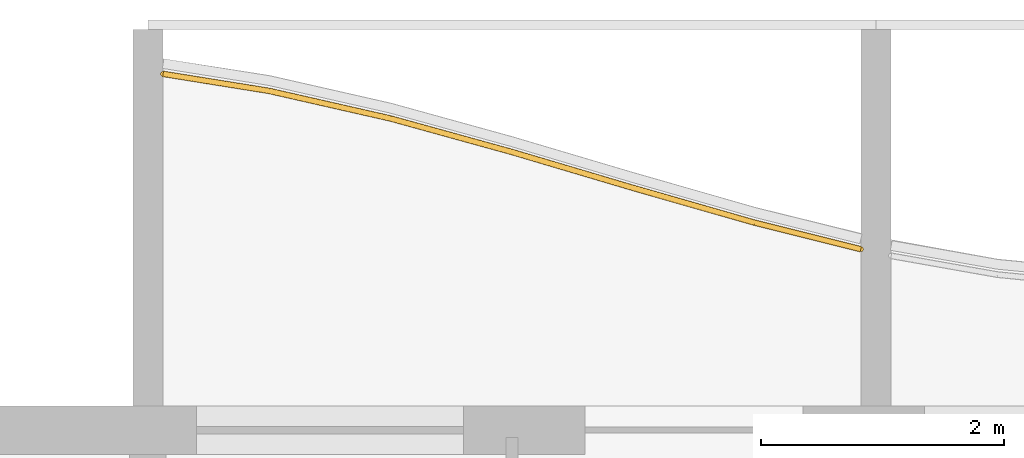
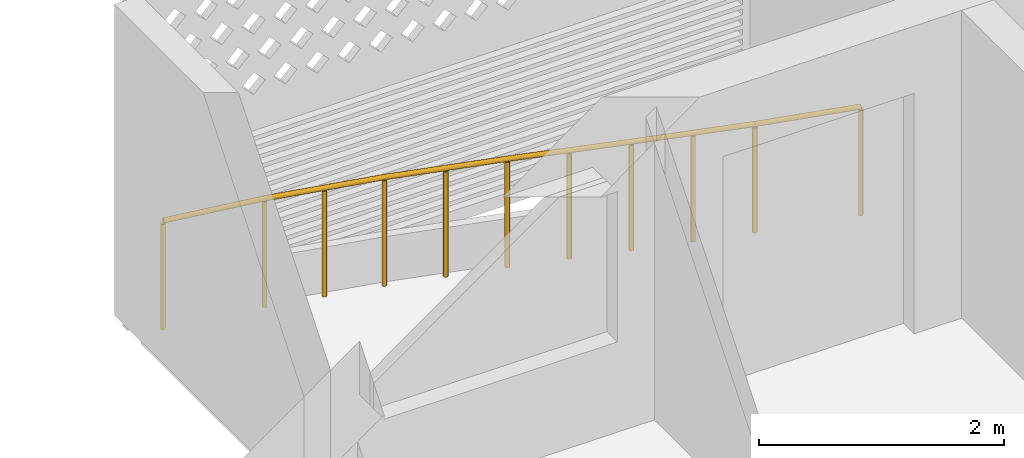
# One storey, part 17 of 32: 1 railing.
"""IFC4 building model written with IfcOpenShell, lengths in metres."""

import ifcopenshell
import ifcopenshell.guid

model = None  # the IFC model being written
_history = None  # IfcOwnerHistory: only IFC2X3 demands one
_inside = {}  # id of a spatial element -> (the spatial element, [elements in it])
_under = {}  # id of a project, library or spatial element -> (it, [spatial elements below it])
_declared = {}  # id of a project -> (the project, [libraries it declares])
_typed = {}  # id of a type object -> (the type object, [elements of that type])
_made_of = {}  # id of a material, layer set ... -> (it, [elements and type objects made of it])


def new_model(schema):
    """Start an empty IFC model of exactly this schema.

    Asked for "IFC4X3", IfcOpenShell would pick the latest addendum, in which some entities
    have other attributes; the version numbers below select the first issue.
    IFC2X3 requires an IfcOwnerHistory on every rooted entity: one is made here for all.
    """
    global model, _history
    if schema == "IFC4X3":
        model = ifcopenshell.file(schema_version=(4, 3, 0, 0))
    else:
        model = ifcopenshell.file(schema=schema)
    _inside.clear()
    _under.clear()
    _declared.clear()
    _typed.clear()
    _made_of.clear()
    _history = None
    if model.schema == "IFC2X3":
        org = make("IfcOrganization", Name="unknown")
        user = make(
            "IfcPersonAndOrganization",
            ThePerson=make("IfcPerson", FamilyName="unknown"),
            TheOrganization=org,
        )
        app = make(
            "IfcApplication",
            ApplicationDeveloper=org,
            Version="unknown",
            ApplicationFullName="unknown",
            ApplicationIdentifier="unknown",
        )
        _history = make(
            "IfcOwnerHistory",
            OwningUser=user,
            OwningApplication=app,
            ChangeAction="ADDED",
            CreationDate=0,
        )
    return model


def make(cls, **values):
    """One entity of the class cls with the attributes given. An attribute that is None is left unset."""
    return model.create_entity(
        cls, **{name: value for name, value in values.items() if value is not None}
    )


def rooted(cls, **values):
    """An entity with a GlobalId (a new one), such as an element, a storey or a relation."""
    return make(cls, GlobalId=ifcopenshell.guid.new(), OwnerHistory=_history, **values)


def si_unit(unit_type, name, prefix=None):
    """IfcSIUnit, for example si_unit("LENGTHUNIT", "METRE", prefix="MILLI")."""
    return make("IfcSIUnit", UnitType=unit_type, Prefix=prefix, Name=name)


def assignment(units):
    """IfcUnitAssignment: the units of a project."""
    return None if units is None else make("IfcUnitAssignment", Units=units)


def point(xyz):
    """IfcCartesianPoint."""
    return None if xyz is None else make("IfcCartesianPoint", Coordinates=xyz)


def direction(xyz):
    """IfcDirection."""
    return None if xyz is None else make("IfcDirection", DirectionRatios=xyz)


def frame(location, z_axis=None, x_axis=None):
    """IfcAxis2Placement3D, a coordinate frame: its origin and axes. An axis left out is left unset."""
    return make(
        "IfcAxis2Placement3D",
        Location=point(location),
        Axis=direction(z_axis),
        RefDirection=direction(x_axis),
    )


def frame_2d(location, x_axis=None):
    """IfcAxis2Placement2D, a coordinate frame in the plane: its origin and x axis."""
    return make(
        "IfcAxis2Placement2D", Location=point(location), RefDirection=direction(x_axis)
    )


def origin():
    """The frame at (0, 0, 0) with its axes left unset."""
    return frame((0.0, 0.0, 0.0))


def origin_2d():
    """The frame at (0, 0) in the plane with its x axis left unset."""
    return frame_2d((0.0, 0.0))


def place(relative_to, where):
    """IfcLocalPlacement: puts the frame where relative to a parent placement (None: the world)."""
    return make(
        "IfcLocalPlacement", PlacementRelTo=relative_to, RelativePlacement=where
    )


def context(
    kind, dimensions, precision=None, world=None, true_north=None, identifier=None
):
    """IfcGeometricRepresentationContext, for example the 3D "Model" context."""
    return make(
        "IfcGeometricRepresentationContext",
        ContextIdentifier=identifier,
        ContextType=kind,
        CoordinateSpaceDimension=dimensions,
        Precision=precision,
        WorldCoordinateSystem=world,
        TrueNorth=true_north,
    )


def subcontext(parent, identifier, kind, view, scale=None):
    """IfcGeometricRepresentationSubContext, for example "Body" below "Model"."""
    return make(
        "IfcGeometricRepresentationSubContext",
        ContextIdentifier=identifier,
        ContextType=kind,
        ParentContext=parent,
        TargetScale=scale,
        TargetView=view,
    )


def project(units=None, contexts=None):
    """IfcProject with its units and contexts."""
    return rooted(
        "IfcProject",
        Name="project",
        RepresentationContexts=contexts,
        UnitsInContext=assignment(units),
    )


def spatial(cls, under=None, at=None, **own):
    """A site, building, storey or space (cls), placed at a placement, below another one or the project."""
    s = rooted(cls, ObjectPlacement=at, **own)
    if under is not None:
        _under.setdefault(under.id(), (under, []))[1].append(s)
    return s


def profile(cls, at=None, kind="AREA", **sizes):
    """A parametric profile (cls). Its sizes go by their IFC names, for example OverallWidth=200.0."""
    return make(cls, ProfileType=kind, Position=at, **sizes)


def circle(**sizes):
    """IfcCircleProfileDef."""
    return profile("IfcCircleProfileDef", **sizes)


def extrude(swept, where, along, depth):
    """IfcExtrudedAreaSolid: the profile swept, set in the frame where, extruded along a direction by depth."""
    return make(
        "IfcExtrudedAreaSolid",
        SweptArea=swept,
        Position=where,
        ExtrudedDirection=direction(along),
        Depth=depth,
    )


def shape(context_of_items, identifier, shape_type, items):
    """IfcShapeRepresentation: the items that make up one representation, for example the "Body"."""
    return make(
        "IfcShapeRepresentation",
        ContextOfItems=context_of_items,
        RepresentationIdentifier=identifier,
        RepresentationType=shape_type,
        Items=items,
    )


def material(Name=None, Category=None):
    """IfcMaterial."""
    return make("IfcMaterial", Name=Name, Category=Category)


def made_of(thing, what):
    """Note that an element or type object is made of a material, layer set ...; save() writes the relation."""
    if what is not None:
        _made_of.setdefault(what.id(), (what, []))[1].append(thing)
    return thing


def type_object(cls, material=None, **own):
    """A type object (cls), such as IfcWallType, which elements share."""
    return made_of(rooted(cls, **own), material)


def element(
    cls,
    number,
    at=None,
    inside=None,
    cuts=None,
    type_object=None,
    material=None,
    context=None,
    identifier="Body",
    shape_type=None,
    held_by="IfcProductDefinitionShape",
    body=None,
    shapes=None,
    **own,
):
    """One element of the class cls, such as IfcWall. Its Tag is "e" and its number.

    at: its placement. inside: the storey or other place that contains it. cuts: it is an
    opening in that element (IfcRelVoidsElement). A single representation is given by context,
    identifier, shape_type and body (its items); several are given by shapes. held_by: the class
    of the entity that holds the representations. save() writes the other relations.
    """
    e = rooted(cls, Tag="e%d" % number, ObjectPlacement=at, **own)
    if body is not None:
        shapes = [shape(context, identifier, shape_type, body)]
    if shapes is not None:
        e.Representation = make(held_by, Representations=shapes)
    if inside is not None:
        _inside.setdefault(inside.id(), (inside, []))[1].append(e)
    if cuts is not None:
        rooted(
            "IfcRelVoidsElement", RelatingBuildingElement=cuts, RelatedOpeningElement=e
        )
    if type_object is not None:
        _typed.setdefault(type_object.id(), (type_object, []))[1].append(e)
    return made_of(e, material)


def aggregate(whole, parts):
    """IfcRelAggregates: a whole, such as a stair, and the parts it consists of."""
    return rooted("IfcRelAggregates", RelatingObject=whole, RelatedObjects=parts)


def save(model, path):
    """Write the relations noted so far, then the file.

    IfcRelAggregates (storeys below a building ...), IfcRelContainedInSpatialStructure (elements
    in a storey), IfcRelDefinesByType, IfcRelAssociatesMaterial and IfcRelDeclares: one each for
    every whole, place, type object, material and project.
    """
    for whole, parts in _under.values():
        aggregate(whole, parts)
    for where, things in _inside.values():
        rooted(
            "IfcRelContainedInSpatialStructure",
            RelatedElements=things,
            RelatingStructure=where,
        )
    for kind, things in _typed.values():
        rooted("IfcRelDefinesByType", RelatedObjects=things, RelatingType=kind)
    for what, things in _made_of.values():
        rooted("IfcRelAssociatesMaterial", RelatedObjects=things, RelatingMaterial=what)
    for by, libraries in _declared.values():
        rooted("IfcRelDeclares", RelatingContext=by, RelatedDefinitions=libraries)
    model.write(path)


model = new_model("IFC4")

# Units and contexts
model_context = context("Model", 3, precision=1e-05, world=origin(), true_north=direction((0.0, 1.0)))
body_context = subcontext(model_context, "Body", "Model", "MODEL_VIEW")
ifc_project = project(units=[si_unit("LENGTHUNIT", "METRE"), si_unit("AREAUNIT", "SQUARE_METRE"), si_unit("VOLUMEUNIT", "CUBIC_METRE"), si_unit("PLANEANGLEUNIT", "RADIAN"), si_unit("MASSUNIT", "GRAM", prefix="KILO")], contexts=[model_context])

# Site, building, storey
site_placement = place(None, origin())
site = spatial("IfcSite", under=ifc_project, at=site_placement, CompositionType="ELEMENT")
building_placement = place(site_placement, origin())
building = spatial("IfcBuilding", under=site, at=building_placement, Name="Poui Terraces", CompositionType="ELEMENT")
storey_placement = place(building_placement, frame((0.0, 0.0, 129.0)))
storey = spatial("IfcBuildingStorey", under=building, at=storey_placement, Name="L35", CompositionType="ELEMENT", Elevation=129.0)

# Railing
ifc_material = material(Name="Painted steel fretwork", Category="steel")
railing_type = type_object("IfcRailingType", Name="BALCONY GUARD 1100", PredefinedType="GUARDRAIL", material=ifc_material)
railing_placement = place(storey_placement, frame((18.125, 45.3359375, 0.0)))
element("IfcRailing", 1, at=railing_placement, inside=storey, type_object=railing_type, Name="BALCONY GUARD", PredefinedType="GUARDRAIL", context=body_context, shape_type="SweptSolid", body=[
    extrude(circle(Radius=0.02392578125, at=origin_2d()), frame((0.0, 0.0, 1.076171875), z_axis=(0.987373495895, -0.158409531289, 0.0), x_axis=(0.158409531289, 0.987373495895, 0.0)), (0.0, 0.0, 1.0), 0.88623046875),
    extrude(circle(Radius=0.02392578125, at=origin_2d()), frame((0.875, -0.140380859375, 1.076171875), z_axis=(0.975128178395, -0.221641683127, 0.0), x_axis=(0.221641683127, 0.975128178395, 0.0)), (0.0, 0.0, 1.0), 1.025390625),
    extrude(circle(Radius=0.02392578125, at=origin_2d()), frame((1.875, -0.36767578125, 1.076171875), z_axis=(0.963928100541, -0.26616276409, 0.0), x_axis=(0.26616276409, 0.963928100541, 0.0)), (0.0, 0.0, 1.0), 1.037353515625),
    extrude(circle(Radius=0.02392578125, at=origin_2d()), frame((2.875, -0.643798828125, 1.076171875), z_axis=(0.958774495191, -0.284168026651, 0.0), x_axis=(0.284168026651, 0.958774495191, 0.0)), (0.0, 0.0, 1.0), 1.04296875),
    extrude(circle(Radius=0.02392578125, at=origin_2d()), frame((3.875, -0.940185546875, 1.076171875), z_axis=(0.96141758688, -0.275093118121, 0.0), x_axis=(0.275093118121, 0.96141758688, 0.0)), (0.0, 0.0, 1.0), 1.0400390625),
    extrude(circle(Radius=0.02392578125, at=origin_2d()), frame((4.875, -1.226318359375, 1.076171875), z_axis=(0.970206161947, -0.242280835643, 0.0), x_axis=(0.242280835643, 0.970206161947, 0.0)), (0.0, 0.0, 1.0), 0.90185546875),
    extrude(circle(Radius=0.02099609375, at=origin_2d()), origin(), (0.0, 0.0, 1.0), 1.052001953125),
    extrude(circle(Radius=0.02099609375, at=origin_2d()), frame((0.875, -0.140380859375, 0.0)), (0.0, 0.0, 1.0), 1.052001953125),
    extrude(circle(Radius=0.02099609375, at=origin_2d()), frame((1.375, -0.25390625, 0.0)), (0.0, 0.0, 1.0), 1.052001953125),
    extrude(circle(Radius=0.02099609375, at=origin_2d()), frame((1.875, -0.36767578125, 0.0)), (0.0, 0.0, 1.0), 1.052001953125),
    extrude(circle(Radius=0.02099609375, at=origin_2d()), frame((2.375, -0.505859375, 0.0)), (0.0, 0.0, 1.0), 1.052001953125),
    extrude(circle(Radius=0.02099609375, at=origin_2d()), frame((2.875, -0.643798828125, 0.0)), (0.0, 0.0, 1.0), 1.052001953125),
    extrude(circle(Radius=0.02099609375, at=origin_2d()), frame((3.375, -0.7919921875, 0.0)), (0.0, 0.0, 1.0), 1.052001953125),
    extrude(circle(Radius=0.02099609375, at=origin_2d()), frame((3.875, -0.940185546875, 0.0)), (0.0, 0.0, 1.0), 1.052001953125),
    extrude(circle(Radius=0.02099609375, at=origin_2d()), frame((4.375, -1.083251953125, 0.0)), (0.0, 0.0, 1.0), 1.052001953125),
    extrude(circle(Radius=0.02099609375, at=origin_2d()), frame((4.875, -1.226318359375, 0.0)), (0.0, 0.0, 1.0), 1.052001953125),
    extrude(circle(Radius=0.02099609375, at=origin_2d()), frame((5.75, -1.44482421875, 0.0)), (0.0, 0.0, 1.0), 1.052001953125),
])

save(model, "model.ifc")
